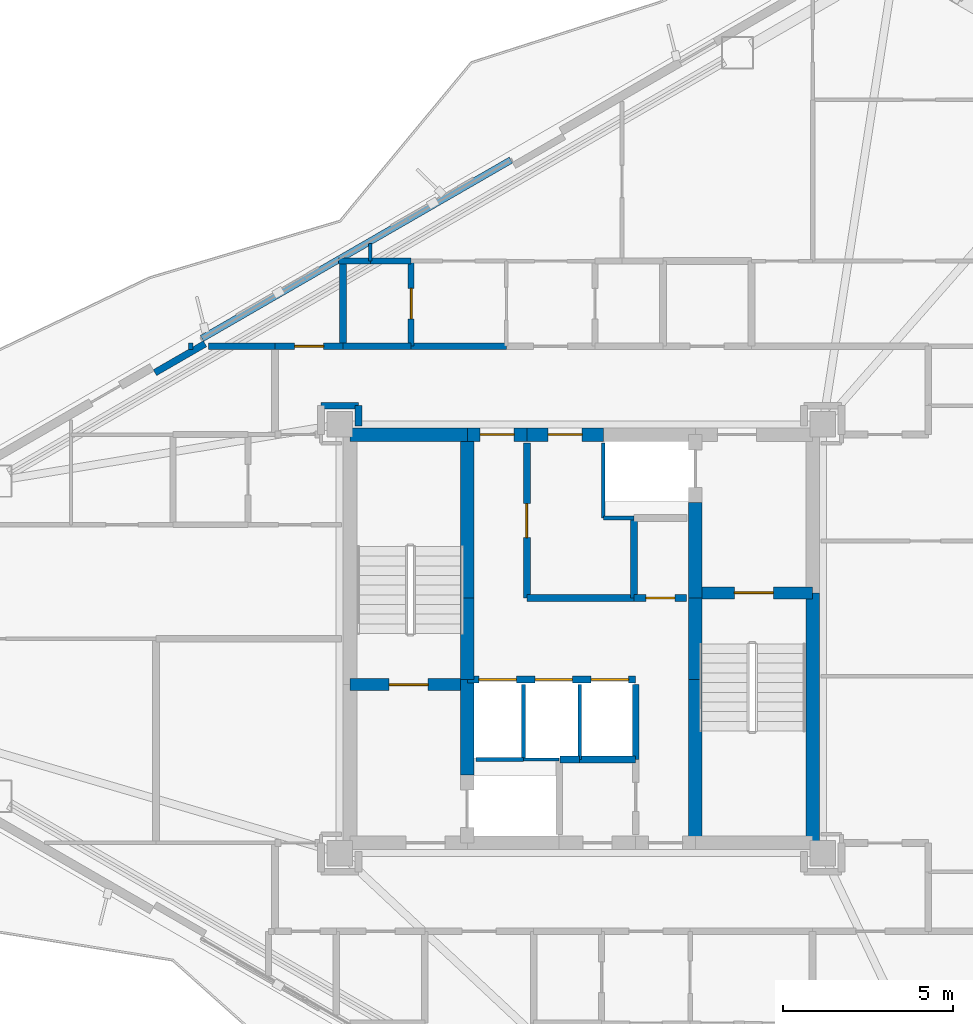
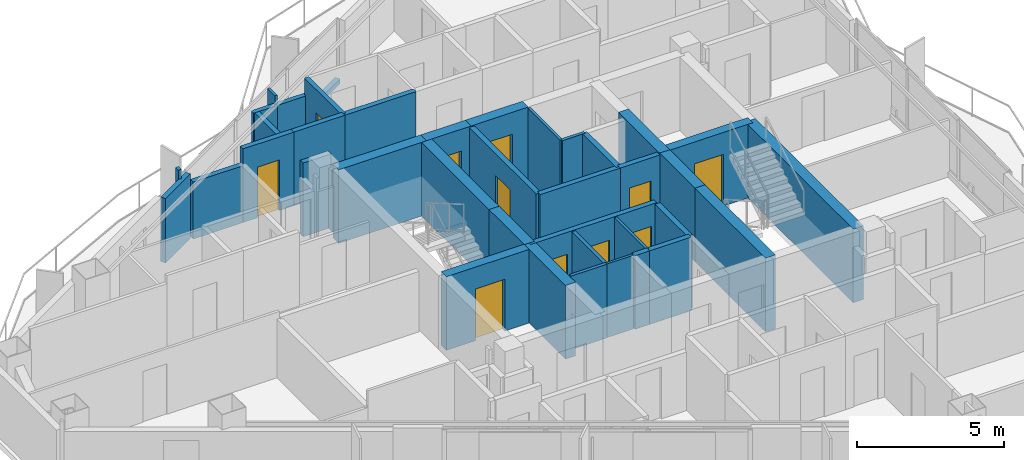
# One storey, part 14 of 18: 40 walls, 11 doors, 11 openings.
"""IFC4 building model written with IfcOpenShell, lengths in metres."""

from ifc_helpers import new_model, si_unit, direction, frame, frame_2d, origin, place, context, subcontext, project, spatial, rectangle, extrude, material, layer, layer_set, type_object, element, fill, save


model = new_model("IFC4")

# Units and contexts
model_context = context("Model", 3, precision=1e-05, world=origin(), true_north=direction((0.0, 1.0)))
body_context = subcontext(model_context, "Body", "Model", "MODEL_VIEW")
ifc_project = project(units=[si_unit("LENGTHUNIT", "METRE"), si_unit("AREAUNIT", "SQUARE_METRE"), si_unit("VOLUMEUNIT", "CUBIC_METRE"), si_unit("PLANEANGLEUNIT", "RADIAN"), si_unit("MASSUNIT", "GRAM", prefix="KILO")], contexts=[model_context])

# Site, building, storey
site_placement = place(None, origin())
site = spatial("IfcSite", under=ifc_project, at=site_placement, CompositionType="ELEMENT")
building_placement = place(site_placement, origin())
building = spatial("IfcBuilding", under=site, at=building_placement, Name="Mersakhor Tower and Convention Hall", CompositionType="ELEMENT")
storey_placement = place(building_placement, frame((0.0, 0.0, 137.699951171875)))
storey = spatial("IfcBuildingStorey", under=building, at=storey_placement, Name="L38", CompositionType="ELEMENT", Elevation=137.699951171875)

# Walls
ifc_material_1 = material(Name="Precast concrete C40/50", Category="concrete")
ifc_layer_1 = layer(ifc_material_1, 0.199951171875)
ifc_layer_set_1 = layer_set([ifc_layer_1], Name="Precast concrete C40/50")
wall_type_1 = type_object("IfcWallType", Name="WL-PAR-200", PredefinedType="PARAPET", material=ifc_layer_set_1)
wall_1_placement = place(storey_placement, frame((17.849853515625, 35.57666015625, 0.0), z_axis=(0.0, 0.0, 1.0), x_axis=(0.866026619769, 0.499997893847, 0.0)))
element("IfcWall", 1, at=wall_1_placement, inside=storey, type_object=wall_type_1, Name="L38 Curtain Wall Upstand Sill F1-B2", PredefinedType="PARAPET", context=body_context, shape_type="SweptSolid", body=[
    extrude(rectangle(XDim=10.48583984375, YDim=0.199951171875, at=frame_2d((5.242919921875, 0.0))), origin(), (0.0, 0.0, 1.0), 0.199951171875),
])
wall_2_placement = place(storey_placement, frame((16.467529296875, 34.57080078125, 0.0), z_axis=(0.0, 0.0, 1.0), x_axis=(0.865989465428, 0.500062241894, 0.0)))
element("IfcWall", 2, at=wall_2_placement, inside=storey, type_object=wall_type_1, Name="L38 Column Pier Cladding Wall F1-C1", PredefinedType="PARAPET", context=body_context, shape_type="SweptSolid", body=[
    extrude(rectangle(XDim=1.699951171875, YDim=0.199951171875, at=frame_2d((0.85009765625, 0.0))), origin(), (0.0, 0.0, 1.0), 2.679931640625),
])

# Wall, opening, door
ifc_material_2 = material(Name="Moisture-resistant acoustic drywall studwork", Category="other")
ifc_layer_2 = layer(ifc_material_2, 0.175048828125)
ifc_layer_set_2 = layer_set([ifc_layer_2], Name="Moisture-resistant acoustic drywall studwork")
wall_type_2 = type_object("IfcWallType", Name="WL-PLM-175", PredefinedType="PLUMBINGWALL", material=ifc_layer_set_2)
wall_3_placement = place(storey_placement, frame((24.0, 35.35009765625, 0.0), z_axis=(0.0, 0.0, 1.0), x_axis=(0.0, 1.0, 0.0)))
wall_3 = element("IfcWall", 3, at=wall_3_placement, inside=storey, type_object=wall_type_2, Name="L38 Interior Partition Wall P-064", PredefinedType="PLUMBINGWALL", context=body_context, shape_type="SweptSolid", body=[
    extrude(rectangle(XDim=2.5, YDim=0.175048828125, at=frame_2d((1.25, 0.0))), origin(), (0.0, 0.0, 1.0), 3.06005859375),
])
opening_1_placement = place(wall_3_placement, frame((0.800048828125, 0.0, 0.0)))
opening_1 = element("IfcOpeningElement", 4, at=opening_1_placement, cuts=wall_3, Name="Opening WD-01", PredefinedType="OPENING", context=body_context, shape_type="SweptSolid", body=[
    extrude(rectangle(XDim=0.89990234375, YDim=2.10009765625, at=frame_2d((0.449951171875, 1.050048828125))), frame((0.0, 0.097412109375, 0.0), z_axis=(0.0, -1.0, 0.0), x_axis=(1.0, 0.0, 0.0)), (0.0, 0.0, 1.0), 0.195068359375),
])
ifc_material_3 = material(Name="Solid-core hardwood leaf in painted steel frame", Category="steel")
door_type_1 = type_object("IfcDoorType", Name="DR-INT-WET-090x210", OperationType="NOTDEFINED", PredefinedType="DOOR", material=ifc_material_3)
door_1_placement = place(opening_1_placement, origin())
door_1 = element("IfcDoor", 5, at=door_1_placement, inside=storey, type_object=door_type_1, Name="L38 L38 Flat N1 Kitchen to L38 Flat N1 Bathroom Door", OperationType="SINGLE_SWING_LEFT", OverallHeight=2.10009765625, OverallWidth=0.89990234375, PredefinedType="DOOR", context=body_context, shape_type="SweptSolid", body=[
    extrude(rectangle(XDim=0.89990234375, YDim=2.10009765625, at=frame_2d((0.449951171875, 1.050048828125))), frame((0.0, 0.02490234375, 0.0), z_axis=(0.0, -1.0, 0.0), x_axis=(1.0, 0.0, 0.0)), (0.0, 0.0, 1.0), 0.050048828125),
])
fill(opening_1, door_1)

# Walls
wall_4_placement = place(storey_placement, frame((21.8564453125, 37.85009765625, 0.0), z_axis=(0.0, 0.0, 1.0), x_axis=(1.0, 0.0, 0.0)))
element("IfcWall", 6, at=wall_4_placement, inside=storey, type_object=wall_type_2, Name="L38 Interior Partition Wall P-065", PredefinedType="PLUMBINGWALL", context=body_context, shape_type="SweptSolid", body=[
    extrude(rectangle(XDim=0.943603515625, YDim=0.175048828125, at=frame_2d((0.4716796875, 0.0))), origin(), (0.0, 0.0, 1.0), 2.364990234375),
])
wall_5_placement = place(storey_placement, frame((22.800048828125, 37.85009765625, 0.0), z_axis=(0.0, 0.0, 1.0), x_axis=(1.0, 0.0, 0.0)))
element("IfcWall", 7, at=wall_5_placement, inside=storey, type_object=wall_type_2, Name="L38 Interior Partition Wall P-066", PredefinedType="PLUMBINGWALL", context=body_context, shape_type="SweptSolid", body=[
    extrude(rectangle(XDim=1.199951171875, YDim=0.175048828125, at=frame_2d((0.60009765625, 0.0))), origin(), (0.0, 0.0, 1.0), 2.364990234375),
])
ifc_material_4 = material(Name="Lightweight gypsum partition", Category="other")
ifc_layer_3 = layer(ifc_material_4, 0.10009765625)
ifc_layer_set_3 = layer_set([ifc_layer_3], Name="Lightweight gypsum partition")
wall_type_3 = type_object("IfcWallType", Name="WL-PRT-100", PredefinedType="PARTITIONING", material=ifc_layer_set_3)
wall_6_placement = place(storey_placement, frame((27.300048828125, 23.199951171875, 0.0), z_axis=(0.0, 0.0, 1.0), x_axis=(1.0, 0.0, 0.0)))
element("IfcWall", 8, at=wall_6_placement, inside=storey, type_object=wall_type_3, Name="L38 Interior Partition Wall P-002", PredefinedType="PARTITIONING", context=body_context, shape_type="SweptSolid", body=[
    extrude(rectangle(XDim=1.050048828125, YDim=0.10009765625, at=frame_2d((0.52490234375, 0.0))), origin(), (0.0, 0.0, 1.0), 3.06005859375),
])
for number, where, z_axis, x_axis, name in (
    (9, (29.64990234375, 30.300048828125, 0.0), (0.0, 0.0, 1.0), (0.0, 1.0, 0.0), "L38 Interior Partition Wall P-006"),
    (10, (28.949951171875, 25.39990234375, 0.0), (0.0, 0.0, 1.0), (0.0, -1.0, 0.0), "L38 Interior Partition Wall P-008"),
):
    element("IfcWall", number, at=place(storey_placement, frame(where, z_axis=z_axis, x_axis=x_axis)), inside=storey, type_object=wall_type_3, Name=name, PredefinedType="PARTITIONING", context=body_context, shape_type="SweptSolid", body=[
        extrude(rectangle(XDim=2.199951171875, YDim=0.10009765625, at=frame_2d((1.10009765625, 0.0))), origin(), (0.0, 0.0, 1.0), 3.06005859375),
    ])
wall_7_placement = place(storey_placement, frame((22.800048828125, 37.85009765625, 0.0), z_axis=(0.0, 0.0, 1.0), x_axis=(0.0, 1.0, 0.0)))
element("IfcWall", 11, at=wall_7_placement, inside=storey, type_object=wall_type_3, Name="L38 Interior Partition Wall P-110", PredefinedType="PARTITIONING", context=body_context, shape_type="SweptSolid", body=[
    extrude(rectangle(XDim=0.510498046875, YDim=0.10009765625, at=frame_2d((0.25537109375, 0.0))), origin(), (0.0, 0.0, 1.0), 2.724609375),
])
ifc_material_5 = material(Name="Gypsum board acoustic partition", Category="other")
ifc_layer_4 = layer(ifc_material_5, 0.125)
ifc_layer_set_4 = layer_set([ifc_layer_4], Name="Gypsum board acoustic partition")
wall_type_4 = type_object("IfcWallType", Name="WL-PRT-125", PredefinedType="PARTITIONING", material=ifc_layer_set_4)
wall_8_placement = place(storey_placement, frame((25.89990234375, 23.199951171875, 0.0), z_axis=(0.0, 0.0, 1.0), x_axis=(1.0, 0.0, 0.0)))
element("IfcWall", 12, at=wall_8_placement, inside=storey, type_object=wall_type_4, Name="L38 Interior Partition Wall P-001", PredefinedType="PARTITIONING", context=body_context, shape_type="SweptSolid", body=[
    extrude(rectangle(XDim=1.400146484375, YDim=0.125, at=frame_2d((0.7001953125, 0.0))), origin(), (0.0, 0.0, 1.0), 3.06005859375),
])
wall_9_placement = place(storey_placement, frame((30.550048828125, 30.300048828125, 0.0), z_axis=(0.0, 0.0, 1.0), x_axis=(-1.0, 0.0, 0.0)))
element("IfcWall", 13, at=wall_9_placement, inside=storey, type_object=wall_type_4, Name="L38 Interior Partition Wall P-005", PredefinedType="PARTITIONING", context=body_context, shape_type="SweptSolid", body=[
    extrude(rectangle(XDim=0.900146484375, YDim=0.125, at=frame_2d((0.4501953125, 0.0))), origin(), (0.0, 0.0, 1.0), 3.06005859375),
])
wall_10_placement = place(storey_placement, frame((27.300048828125, 25.39990234375, 0.0), z_axis=(0.0, 0.0, 1.0), x_axis=(0.0, -1.0, 0.0)))
element("IfcWall", 14, at=wall_10_placement, inside=storey, type_object=wall_type_4, Name="L38 Interior Partition Wall P-007", PredefinedType="PARTITIONING", context=body_context, shape_type="SweptSolid", body=[
    extrude(rectangle(XDim=2.199951171875, YDim=0.125, at=frame_2d((1.10009765625, 0.0))), origin(), (0.0, 0.0, 1.0), 3.06005859375),
])

# Wall, openings, doors
ifc_material_6 = material(Name="Acoustic concrete blockwork and gypsum board", Category="masonry")
ifc_layer_5 = layer(ifc_material_6, 0.199951171875)
ifc_layer_set_5 = layer_set([ifc_layer_5], Name="Acoustic concrete blockwork and gypsum board")
wall_type_5 = type_object("IfcWallType", Name="WL-PRT-200", PredefinedType="PARTITIONING", material=ifc_layer_set_5)
wall_11_placement = place(storey_placement, frame((25.64990234375, 25.550048828125, 0.0), z_axis=(0.0, 0.0, 1.0), x_axis=(1.0, 0.0, 0.0)))
wall_11 = element("IfcWall", 15, at=wall_11_placement, inside=storey, type_object=wall_type_5, Name="L38 High-Rise Lift Bank Front Wall", PredefinedType="PARTITIONING", context=body_context, shape_type="SweptSolid", body=[
    extrude(rectangle(XDim=4.9501953125, YDim=0.199951171875, at=frame_2d((2.47509765625, 0.0))), origin(), (0.0, 0.0, 1.0), 3.06005859375),
])
opening_2_placement = place(wall_11_placement, frame((0.340087890625, 0.0, 0.0)))
opening_2 = element("IfcOpeningElement", 16, at=opening_2_placement, cuts=wall_11, Name="Opening LD-P4", PredefinedType="OPENING", context=body_context, shape_type="SweptSolid", body=[
    extrude(rectangle(XDim=1.10009765625, YDim=2.14990234375, at=frame_2d((0.550048828125, 1.074951171875))), frame((0.0, 0.10986328125, 0.0), z_axis=(0.0, -1.0, 0.0), x_axis=(1.0, 0.0, 0.0)), (0.0, 0.0, 1.0), 0.219970703125),
])
opening_3_placement = place(wall_11_placement, frame((1.989990234375, 0.0, 0.0)))
opening_3 = element("IfcOpeningElement", 17, at=opening_3_placement, cuts=wall_11, Name="Opening LD-P5", PredefinedType="OPENING", context=body_context, shape_type="SweptSolid", body=[
    extrude(rectangle(XDim=1.10009765625, YDim=2.14990234375, at=frame_2d((0.550048828125, 1.074951171875))), frame((0.0, 0.10986328125, 0.0), z_axis=(0.0, -1.0, 0.0), x_axis=(1.0, 0.0, 0.0)), (0.0, 0.0, 1.0), 0.219970703125),
])
opening_4_placement = place(wall_11_placement, frame((3.639892578125, 0.0, 0.0)))
opening_4 = element("IfcOpeningElement", 18, at=opening_4_placement, cuts=wall_11, Name="Opening LD-P6", PredefinedType="OPENING", context=body_context, shape_type="SweptSolid", body=[
    extrude(rectangle(XDim=1.10009765625, YDim=2.14990234375, at=frame_2d((0.550048828125, 1.074951171875))), frame((0.0, 0.10986328125, 0.0), z_axis=(0.0, -1.0, 0.0), x_axis=(1.0, 0.0, 0.0)), (0.0, 0.0, 1.0), 0.219970703125),
])
ifc_material_7 = material(Name="Fire-rated brushed stainless steel sliding landing door", Category="steel")
door_type_2 = type_object("IfcDoorType", Name="DR-LIFT-SLD-110x215", OperationType="NOTDEFINED", PredefinedType="DOOR", material=ifc_material_7)
door_2_placement = place(opening_2_placement, origin())
door_2 = element("IfcDoor", 19, at=door_2_placement, inside=storey, type_object=door_type_2, Name="L38 Lift Landing Door LD-P4", OperationType="SLIDING_TO_LEFT", OverallHeight=2.14990234375, OverallWidth=1.10009765625, PredefinedType="DOOR", context=body_context, shape_type="SweptSolid", body=[
    extrude(rectangle(XDim=1.10009765625, YDim=2.14990234375, at=frame_2d((0.550048828125, 1.074951171875))), frame((0.0, 0.02490234375, 0.0), z_axis=(0.0, -1.0, 0.0), x_axis=(1.0, 0.0, 0.0)), (0.0, 0.0, 1.0), 0.050048828125),
])
fill(opening_2, door_2)
door_3_placement = place(opening_3_placement, origin())
door_3 = element("IfcDoor", 20, at=door_3_placement, inside=storey, type_object=door_type_2, Name="L38 Lift Landing Door LD-P5", OperationType="SLIDING_TO_LEFT", OverallHeight=2.14990234375, OverallWidth=1.10009765625, PredefinedType="DOOR", context=body_context, shape_type="SweptSolid", body=[
    extrude(rectangle(XDim=1.10009765625, YDim=2.14990234375, at=frame_2d((0.550048828125, 1.074951171875))), frame((0.0, 0.02490234375, 0.0), z_axis=(0.0, -1.0, 0.0), x_axis=(1.0, 0.0, 0.0)), (0.0, 0.0, 1.0), 0.050048828125),
])
fill(opening_3, door_3)
door_4_placement = place(opening_4_placement, origin())
door_4 = element("IfcDoor", 21, at=door_4_placement, inside=storey, type_object=door_type_2, Name="L38 Lift Landing Door LD-P6", OperationType="SLIDING_TO_LEFT", OverallHeight=2.14990234375, OverallWidth=1.10009765625, PredefinedType="DOOR", context=body_context, shape_type="SweptSolid", body=[
    extrude(rectangle(XDim=1.10009765625, YDim=2.14990234375, at=frame_2d((0.550048828125, 1.074951171875))), frame((0.0, 0.02490234375, 0.0), z_axis=(0.0, -1.0, 0.0), x_axis=(1.0, 0.0, 0.0)), (0.0, 0.0, 1.0), 0.050048828125),
])
fill(opening_4, door_4)

# Walls
wall_12_placement = place(storey_placement, frame((28.949951171875, 23.199951171875, 0.0), z_axis=(0.0, 0.0, 1.0), x_axis=(-1.0, 0.0, 0.0)))
element("IfcWall", 22, at=wall_12_placement, inside=storey, type_object=wall_type_5, Name="L38 Interior Partition Wall P-009", PredefinedType="PARTITIONING", context=body_context, shape_type="SweptSolid", body=[
    extrude(rectangle(XDim=0.570068359375, YDim=0.199951171875, at=frame_2d((0.28515625, 0.0))), origin(), (0.0, 0.0, 1.0), 3.06005859375),
])
wall_13_placement = place(storey_placement, frame((30.60009765625, 25.39990234375, 0.0), z_axis=(0.0, 0.0, 1.0), x_axis=(0.0, -1.0, 0.0)))
element("IfcWall", 23, at=wall_13_placement, inside=storey, type_object=wall_type_5, Name="L38 Interior Partition Wall P-010", PredefinedType="PARTITIONING", context=body_context, shape_type="SweptSolid", body=[
    extrude(rectangle(XDim=2.199951171875, YDim=0.199951171875, at=frame_2d((1.10009765625, 0.0))), origin(), (0.0, 0.0, 1.0), 3.06005859375),
])
wall_14_placement = place(storey_placement, frame((30.60009765625, 23.199951171875, 0.0), z_axis=(0.0, 0.0, 1.0), x_axis=(-1.0, 0.0, 0.0)))
element("IfcWall", 24, at=wall_14_placement, inside=storey, type_object=wall_type_5, Name="L38 Interior Partition Wall P-011", PredefinedType="PARTITIONING", context=body_context, shape_type="SweptSolid", body=[
    extrude(rectangle(XDim=1.650146484375, YDim=0.199951171875, at=frame_2d((0.8251953125, 0.0))), origin(), (0.0, 0.0, 1.0), 3.06005859375),
])

# Wall, opening, door
wall_15_placement = place(storey_placement, frame((27.39990234375, 32.5, 0.0), z_axis=(0.0, 0.0, 1.0), x_axis=(0.0, -1.0, 0.0)))
wall_15 = element("IfcWall", 25, at=wall_15_placement, inside=storey, type_object=wall_type_5, Name="L38 Interior Partition Wall P-013", PredefinedType="PARTITIONING", context=body_context, shape_type="SweptSolid", body=[
    extrude(rectangle(XDim=4.550048828125, YDim=0.199951171875, at=frame_2d((2.27490234375, 0.0))), origin(), (0.0, 0.0, 1.0), 3.06005859375),
])
opening_5_placement = place(wall_15_placement, frame((1.77490234375, 0.0, 0.0)))
opening_5 = element("IfcOpeningElement", 26, at=opening_5_placement, cuts=wall_15, Name="Opening FD-01", PredefinedType="OPENING", context=body_context, shape_type="SweptSolid", body=[
    extrude(rectangle(XDim=1.0, YDim=2.14990234375, at=frame_2d((0.5, 1.074951171875))), frame((0.0, 0.10986328125, 0.0), z_axis=(0.0, -1.0, 0.0), x_axis=(1.0, 0.0, 0.0)), (0.0, 0.0, 1.0), 0.219970703125),
])
ifc_material_8 = material(Name="Fire-rated hardwood leaf and painted steel frame", Category="steel")
door_type_3 = type_object("IfcDoorType", Name="DR-INT-FLT-100x215", OperationType="NOTDEFINED", PredefinedType="DOOR", material=ifc_material_8)
door_5_placement = place(opening_5_placement, origin())
door_5 = element("IfcDoor", 27, at=door_5_placement, inside=storey, type_object=door_type_3, Name="L38 Central Passenger Lift Lobby to Quiet Core Study Room Door", OperationType="SINGLE_SWING_LEFT", OverallHeight=2.14990234375, OverallWidth=1.0, PredefinedType="DOOR", context=body_context, shape_type="SweptSolid", body=[
    extrude(rectangle(XDim=1.0, YDim=2.14990234375, at=frame_2d((0.5, 1.074951171875))), frame((0.0, 0.02490234375, 0.0), z_axis=(0.0, -1.0, 0.0), x_axis=(1.0, 0.0, 0.0)), (0.0, 0.0, 1.0), 0.050048828125),
])
fill(opening_5, door_5)

# Wall
wall_16_placement = place(storey_placement, frame((27.39990234375, 27.949951171875, 0.0), z_axis=(0.0, 0.0, 1.0), x_axis=(1.0, 0.0, 0.0)))
element("IfcWall", 28, at=wall_16_placement, inside=storey, type_object=wall_type_5, Name="L38 Interior Partition Wall P-014", PredefinedType="PARTITIONING", context=body_context, shape_type="SweptSolid", body=[
    extrude(rectangle(XDim=3.150146484375, YDim=0.199951171875, at=frame_2d((1.5751953125, 0.0))), origin(), (0.0, 0.0, 1.0), 3.06005859375),
])

# Wall, opening, door
wall_17_placement = place(storey_placement, frame((30.550048828125, 27.949951171875, 0.0), z_axis=(0.0, 0.0, 1.0), x_axis=(1.0, 0.0, 0.0)))
wall_17 = element("IfcWall", 29, at=wall_17_placement, inside=storey, type_object=wall_type_5, Name="L38 Interior Partition Wall P-015", PredefinedType="PARTITIONING", context=body_context, shape_type="SweptSolid", body=[
    extrude(rectangle(XDim=1.550048828125, YDim=0.199951171875, at=frame_2d((0.77490234375, 0.0))), origin(), (0.0, 0.0, 1.0), 3.06005859375),
])
opening_6_placement = place(wall_17_placement, frame((0.35009765625, 0.0, 0.0)))
opening_6 = element("IfcOpeningElement", 30, at=opening_6_placement, cuts=wall_17, Name="Opening SVD-01", PredefinedType="OPENING", context=body_context, shape_type="SweptSolid", body=[
    extrude(rectangle(XDim=0.85009765625, YDim=2.10009765625, at=frame_2d((0.425048828125, 1.050048828125))), frame((0.0, 0.10986328125, 0.0), z_axis=(0.0, -1.0, 0.0), x_axis=(1.0, 0.0, 0.0)), (0.0, 0.0, 1.0), 0.219970703125),
])
ifc_material_9 = material(Name="Fire-rated hardwood leaf and painted steel frame", Category="steel")
door_type_4 = type_object("IfcDoorType", Name="DR-INT-SVC-085x210", OperationType="NOTDEFINED", PredefinedType="DOOR", material=ifc_material_9)
door_6_placement = place(opening_6_placement, origin())
door_6 = element("IfcDoor", 31, at=door_6_placement, inside=storey, type_object=door_type_4, Name="L38 Central Passenger Lift Lobby to Housekeeping Linen Store Room Door", OperationType="SINGLE_SWING_RIGHT", OverallHeight=2.10009765625, OverallWidth=0.85009765625, PredefinedType="DOOR", context=body_context, shape_type="SweptSolid", body=[
    extrude(rectangle(XDim=0.85009765625, YDim=2.10009765625, at=frame_2d((0.425048828125, 1.050048828125))), frame((0.0, 0.02490234375, 0.0), z_axis=(0.0, -1.0, 0.0), x_axis=(1.0, 0.0, 0.0)), (0.0, 0.0, 1.0), 0.050048828125),
])
fill(opening_6, door_6)

# Walls
wall_18_placement = place(storey_placement, frame((22.449951171875, 33.0, 0.0), z_axis=(0.0, 0.0, 1.0), x_axis=(0.0, 1.0, 0.0)))
element("IfcWall", 32, at=wall_18_placement, inside=storey, type_object=wall_type_5, Name="L38 Interior Partition Wall P-017", PredefinedType="PARTITIONING", context=body_context, shape_type="SweptSolid", body=[
    extrude(rectangle(XDim=0.60009765625, YDim=0.199951171875, at=frame_2d((0.300048828125, 0.0))), origin(), (0.0, 0.0, 1.0), 2.50830078125),
])
wall_19_placement = place(storey_placement, frame((22.449951171875, 33.60009765625, 0.0), z_axis=(0.0, 0.0, 1.0), x_axis=(-1.0, 0.0, 0.0)))
element("IfcWall", 33, at=wall_19_placement, inside=storey, type_object=wall_type_5, Name="L38 Interior Partition Wall P-018", PredefinedType="PARTITIONING", context=body_context, shape_type="SweptSolid", body=[
    extrude(rectangle(XDim=1.099853515625, YDim=0.199951171875, at=frame_2d((0.5498046875, 0.0))), origin(), (0.0, 0.0, 1.0), 3.06005859375),
])

# Wall, opening, door
wall_20_placement = place(storey_placement, frame((20.0, 35.35009765625, 0.0), z_axis=(0.0, 0.0, 1.0), x_axis=(1.0, 0.0, 0.0)))
wall_20 = element("IfcWall", 34, at=wall_20_placement, inside=storey, type_object=wall_type_5, Name="L38 Interior Partition Wall P-022", PredefinedType="PARTITIONING", context=body_context, shape_type="SweptSolid", body=[
    extrude(rectangle(XDim=2.0, YDim=0.199951171875, at=frame_2d((1.0, 0.0))), origin(), (0.0, 0.0, 1.0), 3.06005859375),
])
opening_7_placement = place(wall_20_placement, frame((0.574951171875, 0.0, 0.0)))
opening_7 = element("IfcOpeningElement", 35, at=opening_7_placement, cuts=wall_20, Name="Opening SVD-01", PredefinedType="OPENING", context=body_context, shape_type="SweptSolid", body=[
    extrude(rectangle(XDim=0.85009765625, YDim=2.10009765625, at=frame_2d((0.425048828125, 1.050048828125))), frame((0.0, 0.10986328125, 0.0), z_axis=(0.0, -1.0, 0.0), x_axis=(1.0, 0.0, 0.0)), (0.0, 0.0, 1.0), 0.219970703125),
])
door_7_placement = place(opening_7_placement, origin())
door_7 = element("IfcDoor", 36, at=door_7_placement, inside=storey, type_object=door_type_4, Name="L38 Residential North Gallery Corridor to L38 North-West Household Store Room Door", OperationType="SINGLE_SWING_RIGHT", OverallHeight=2.10009765625, OverallWidth=0.85009765625, PredefinedType="DOOR", context=body_context, shape_type="SweptSolid", body=[
    extrude(rectangle(XDim=0.85009765625, YDim=2.10009765625, at=frame_2d((0.425048828125, 1.050048828125))), frame((0.0, 0.02490234375, 0.0), z_axis=(0.0, -1.0, 0.0), x_axis=(1.0, 0.0, 0.0)), (0.0, 0.0, 1.0), 0.050048828125),
])
fill(opening_7, door_7)

# Walls
wall_21_placement = place(storey_placement, frame((22.0, 35.35009765625, 0.0), z_axis=(0.0, 0.0, 1.0), x_axis=(1.0, 0.0, 0.0)))
element("IfcWall", 37, at=wall_21_placement, inside=storey, type_object=wall_type_5, Name="L38 Interior Partition Wall P-023", PredefinedType="PARTITIONING", context=body_context, shape_type="SweptSolid", body=[
    extrude(rectangle(XDim=2.0, YDim=0.199951171875, at=frame_2d((1.0, 0.0))), origin(), (0.0, 0.0, 1.0), 3.06005859375),
])
wall_22_placement = place(storey_placement, frame((24.0, 35.35009765625, 0.0), z_axis=(0.0, 0.0, 1.0), x_axis=(1.0, 0.0, 0.0)))
element("IfcWall", 38, at=wall_22_placement, inside=storey, type_object=wall_type_5, Name="L38 Interior Partition Wall P-024", PredefinedType="PARTITIONING", context=body_context, shape_type="SweptSolid", body=[
    extrude(rectangle(XDim=2.800048828125, YDim=0.199951171875, at=frame_2d((1.39990234375, 0.0))), origin(), (0.0, 0.0, 1.0), 3.06005859375),
])
wall_23_placement = place(storey_placement, frame((22.0, 35.35009765625, 0.0), z_axis=(0.0, 0.0, 1.0), x_axis=(0.0, 1.0, 0.0)))
element("IfcWall", 39, at=wall_23_placement, inside=storey, type_object=wall_type_5, Name="L38 Interior Partition Wall P-067", PredefinedType="PARTITIONING", context=body_context, shape_type="SweptSolid", body=[
    extrude(rectangle(XDim=2.578857421875, YDim=0.199951171875, at=frame_2d((1.28955078125, 0.0))), origin(), (0.0, 0.0, 1.0), 2.364990234375),
])
wall_24_placement = place(storey_placement, frame((30.550048828125, 30.300048828125, 0.0), z_axis=(0.0, 0.0, 1.0), x_axis=(0.0, -1.0, 0.0)))
element("IfcWall", 40, at=wall_24_placement, inside=storey, type_object=wall_type_5, Name="L38 Interior Partition Wall P-085", PredefinedType="PARTITIONING", context=body_context, shape_type="SweptSolid", body=[
    extrude(rectangle(XDim=2.35009765625, YDim=0.199951171875, at=frame_2d((1.175048828125, 0.0))), origin(), (0.0, 0.0, 1.0), 3.06005859375),
])
wall_25_placement = place(storey_placement, frame((20.0, 35.35009765625, 0.0), z_axis=(0.0, 0.0, 1.0), x_axis=(-1.0, 0.0, 0.0)))
element("IfcWall", 41, at=wall_25_placement, inside=storey, type_object=wall_type_5, Name="L38 Interior Partition Wall P-088", PredefinedType="PARTITIONING", context=body_context, shape_type="SweptSolid", body=[
    extrude(rectangle(XDim=1.95751953125, YDim=0.199951171875, at=frame_2d((0.978759765625, 0.0))), origin(), (0.0, 0.0, 1.0), 2.364990234375),
])
wall_26_placement = place(storey_placement, frame((17.58203125, 35.35009765625, 0.0), z_axis=(0.0, 0.0, 1.0), x_axis=(-1.0, 0.0, 0.0)))
element("IfcWall", 42, at=wall_26_placement, inside=storey, type_object=wall_type_5, Name="L38 Interior Partition Wall P-089", PredefinedType="PARTITIONING", context=body_context, shape_type="SweptSolid", body=[
    extrude(rectangle(XDim=0.125, YDim=0.199951171875, at=frame_2d((0.0625, 0.0))), origin(), (0.0, 0.0, 1.0), 3.06005859375),
])

# Wall, opening, door
ifc_material_10 = material(Name="Concrete C50/60", Category="concrete")
ifc_layer_6 = layer(ifc_material_10, 0.35009765625)
ifc_layer_set_6 = layer_set([ifc_layer_6], Name="Concrete C50/60")
wall_type_6 = type_object("IfcWallType", Name="WL-SHR-350", PredefinedType="SHEAR", material=ifc_layer_set_6)
wall_27_placement = place(storey_placement, frame((22.199951171875, 25.39990234375, 0.0), z_axis=(0.0, 0.0, 1.0), x_axis=(1.0, 0.0, 0.0)))
wall_27 = element("IfcWall", 43, at=wall_27_placement, inside=storey, type_object=wall_type_6, Name="L38 Core Wall CS-ST1-S", PredefinedType="SHEAR", context=body_context, shape_type="SweptSolid", body=[
    extrude(rectangle(XDim=3.449951171875, YDim=0.35009765625, at=frame_2d((1.72509765625, 0.0))), origin(), (0.0, 0.0, 1.0), 3.06005859375),
])
opening_8_placement = place(wall_27_placement, frame((1.14990234375, 0.0, 0.0)))
opening_8 = element("IfcOpeningElement", 44, at=opening_8_placement, cuts=wall_27, Name="Opening SD-01", PredefinedType="OPENING", context=body_context, shape_type="SweptSolid", body=[
    extrude(rectangle(XDim=1.14990234375, YDim=2.14990234375, at=frame_2d((0.574951171875, 1.074951171875))), frame((0.0, 0.18505859375, 0.0), z_axis=(0.0, -1.0, 0.0), x_axis=(1.0, 0.0, 0.0)), (0.0, 0.0, 1.0), 0.3701171875),
])
ifc_material_11 = material(Name="Fire-rated hardwood leaf and painted steel frame", Category="steel")
door_type_5 = type_object("IfcDoorType", Name="DR-INT-STAIR-115x215", OperationType="NOTDEFINED", PredefinedType="DOOR", material=ifc_material_11)
door_8_placement = place(opening_8_placement, origin())
door_8 = element("IfcDoor", 45, at=door_8_placement, inside=storey, type_object=door_type_5, Name="L38 Exit Stair ST-1 Enclosure Door", OperationType="SINGLE_SWING_LEFT", OverallHeight=2.14990234375, OverallWidth=1.14990234375, PredefinedType="DOOR", context=body_context, shape_type="SweptSolid", body=[
    extrude(rectangle(XDim=1.14990234375, YDim=2.14990234375, at=frame_2d((0.574951171875, 1.074951171875))), frame((0.0, 0.02490234375, 0.0), z_axis=(0.0, -1.0, 0.0), x_axis=(1.0, 0.0, 0.0)), (0.0, 0.0, 1.0), 0.050048828125),
])
fill(opening_8, door_8)

wall_28_placement = place(storey_placement, frame((32.35009765625, 28.10009765625, 0.0), z_axis=(0.0, 0.0, 1.0), x_axis=(1.0, 0.0, 0.0)))
wall_28 = element("IfcWall", 46, at=wall_28_placement, inside=storey, type_object=wall_type_6, Name="L38 Core Wall CS-ST2-N", PredefinedType="SHEAR", context=body_context, shape_type="SweptSolid", body=[
    extrude(rectangle(XDim=3.449951171875, YDim=0.35009765625, at=frame_2d((1.72509765625, 0.0))), origin(), (0.0, 0.0, 1.0), 3.06005859375),
])
opening_9_placement = place(wall_28_placement, frame((1.14990234375, 0.0, 0.0)))
opening_9 = element("IfcOpeningElement", 47, at=opening_9_placement, cuts=wall_28, Name="Opening SD-01", PredefinedType="OPENING", context=body_context, shape_type="SweptSolid", body=[
    extrude(rectangle(XDim=1.14990234375, YDim=2.14990234375, at=frame_2d((0.574951171875, 1.074951171875))), frame((0.0, 0.18505859375, 0.0), z_axis=(0.0, -1.0, 0.0), x_axis=(1.0, 0.0, 0.0)), (0.0, 0.0, 1.0), 0.3701171875),
])
door_9_placement = place(opening_9_placement, origin())
door_9 = element("IfcDoor", 48, at=door_9_placement, inside=storey, type_object=door_type_5, Name="L38 Exit Stair ST-2 Enclosure Door", OperationType="SINGLE_SWING_RIGHT", OverallHeight=2.14990234375, OverallWidth=1.14990234375, PredefinedType="DOOR", context=body_context, shape_type="SweptSolid", body=[
    extrude(rectangle(XDim=1.14990234375, YDim=2.14990234375, at=frame_2d((0.574951171875, 1.074951171875))), frame((0.0, 0.02490234375, 0.0), z_axis=(0.0, -1.0, 0.0), x_axis=(1.0, 0.0, 0.0)), (0.0, 0.0, 1.0), 0.050048828125),
])
fill(opening_9, door_9)

# Wall
ifc_material_12 = material(Name="Concrete C60/75", Category="concrete")
ifc_layer_7 = layer(ifc_material_12, 0.39990234375)
ifc_layer_set_7 = layer_set([ifc_layer_7], Name="Concrete C60/75")
wall_type_7 = type_object("IfcWallType", Name="WL-SHR-400", PredefinedType="SHEAR", material=ifc_layer_set_7)
wall_29_placement = place(storey_placement, frame((22.199951171875, 32.75, 0.0), z_axis=(0.0, 0.0, 1.0), x_axis=(1.0, 0.0, 0.0)))
element("IfcWall", 49, at=wall_29_placement, inside=storey, type_object=wall_type_7, Name="L38 Core Wall CW-N1", PredefinedType="SHEAR", context=body_context, shape_type="SweptSolid", body=[
    extrude(rectangle(XDim=3.449951171875, YDim=0.39990234375, at=frame_2d((1.72509765625, 0.0))), origin(), (0.0, 0.0, 1.0), 3.06005859375),
])

# Wall, opening, door
wall_30_placement = place(storey_placement, frame((25.64990234375, 32.75, 0.0), z_axis=(0.0, 0.0, 1.0), x_axis=(1.0, 0.0, 0.0)))
wall_30 = element("IfcWall", 50, at=wall_30_placement, inside=storey, type_object=wall_type_7, Name="L38 Core Wall CW-N2A", PredefinedType="SHEAR", context=body_context, shape_type="SweptSolid", body=[
    extrude(rectangle(XDim=1.75, YDim=0.39990234375, at=frame_2d((0.875, 0.0))), origin(), (0.0, 0.0, 1.0), 3.06005859375),
])
opening_10_placement = place(wall_30_placement, frame((0.375, 0.0, 0.0)))
opening_10 = element("IfcOpeningElement", 51, at=opening_10_placement, cuts=wall_30, Name="Opening CFD-01", PredefinedType="OPENING", context=body_context, shape_type="SweptSolid", body=[
    extrude(rectangle(XDim=1.0, YDim=2.14990234375, at=frame_2d((0.5, 1.074951171875))), frame((0.0, 0.2099609375, 0.0), z_axis=(0.0, -1.0, 0.0), x_axis=(1.0, 0.0, 0.0)), (0.0, 0.0, 1.0), 0.419921875),
])
ifc_material_13 = material(Name="Fire-rated hardwood leaf and painted steel frame", Category="steel")
door_type_6 = type_object("IfcDoorType", Name="DR-CORE-FD-100x215", OperationType="NOTDEFINED", PredefinedType="DOOR", material=ifc_material_13)
door_10_placement = place(opening_10_placement, origin())
door_10 = element("IfcDoor", 52, at=door_10_placement, inside=storey, type_object=door_type_6, Name="L38 Lift Lobby North Corridor Door", OperationType="SINGLE_SWING_LEFT", OverallHeight=2.14990234375, OverallWidth=1.0, PredefinedType="DOOR", context=body_context, shape_type="SweptSolid", body=[
    extrude(rectangle(XDim=1.0, YDim=2.14990234375, at=frame_2d((0.5, 1.074951171875))), frame((0.0, 0.02490234375, 0.0), z_axis=(0.0, -1.0, 0.0), x_axis=(1.0, 0.0, 0.0)), (0.0, 0.0, 1.0), 0.050048828125),
])
fill(opening_10, door_10)

wall_31_placement = place(storey_placement, frame((27.39990234375, 32.75, 0.0), z_axis=(0.0, 0.0, 1.0), x_axis=(1.0, 0.0, 0.0)))
wall_31 = element("IfcWall", 53, at=wall_31_placement, inside=storey, type_object=wall_type_7, Name="L38 Core Wall CW-N2B", PredefinedType="SHEAR", context=body_context, shape_type="SweptSolid", body=[
    extrude(rectangle(XDim=2.25, YDim=0.39990234375, at=frame_2d((1.125, 0.0))), origin(), (0.0, 0.0, 1.0), 3.06005859375),
])
opening_11_placement = place(wall_31_placement, frame((0.625, 0.0, 0.0)))
opening_11 = element("IfcOpeningElement", 54, at=opening_11_placement, cuts=wall_31, Name="Opening FD-01", PredefinedType="OPENING", context=body_context, shape_type="SweptSolid", body=[
    extrude(rectangle(XDim=1.0, YDim=2.14990234375, at=frame_2d((0.5, 1.074951171875))), frame((0.0, 0.2099609375, 0.0), z_axis=(0.0, -1.0, 0.0), x_axis=(1.0, 0.0, 0.0)), (0.0, 0.0, 1.0), 0.419921875),
])
door_11_placement = place(opening_11_placement, origin())
door_11 = element("IfcDoor", 55, at=door_11_placement, inside=storey, type_object=door_type_3, Name="L38 Residential North Gallery Corridor to Quiet Core Study Room Door", OperationType="SINGLE_SWING_RIGHT", OverallHeight=2.14990234375, OverallWidth=1.0, PredefinedType="DOOR", context=body_context, shape_type="SweptSolid", body=[
    extrude(rectangle(XDim=1.0, YDim=2.14990234375, at=frame_2d((0.5, 1.074951171875))), frame((0.0, 0.02490234375, 0.0), z_axis=(0.0, -1.0, 0.0), x_axis=(1.0, 0.0, 0.0)), (0.0, 0.0, 1.0), 0.050048828125),
])
fill(opening_11, door_11)

# Walls
wall_32_placement = place(storey_placement, frame((35.800048828125, 28.10009765625, 0.0), z_axis=(0.0, 0.0, 1.0), x_axis=(0.0, -1.0, 0.0)))
element("IfcWall", 56, at=wall_32_placement, inside=storey, type_object=wall_type_7, Name="L38 Core Wall CW-E2", PredefinedType="SHEAR", context=body_context, shape_type="SweptSolid", body=[
    extrude(rectangle(XDim=7.35009765625, YDim=0.39990234375, at=frame_2d((3.675048828125, 0.0))), origin(), (0.0, 0.0, 1.0), 3.06005859375),
])
wall_33_placement = place(storey_placement, frame((25.64990234375, 22.75, 0.0), z_axis=(0.0, 0.0, 1.0), x_axis=(0.0, 1.0, 0.0)))
element("IfcWall", 57, at=wall_33_placement, inside=storey, type_object=wall_type_7, Name="L38 Core Wall CS-W-MID", PredefinedType="SHEAR", context=body_context, shape_type="SweptSolid", body=[
    extrude(rectangle(XDim=2.800048828125, YDim=0.39990234375, at=frame_2d((1.39990234375, 0.0))), origin(), (0.0, 0.0, 1.0), 3.06005859375),
])
wall_34_placement = place(storey_placement, frame((25.64990234375, 25.550048828125, 0.0), z_axis=(0.0, 0.0, 1.0), x_axis=(0.0, 1.0, 0.0)))
element("IfcWall", 58, at=wall_34_placement, inside=storey, type_object=wall_type_7, Name="L38 Core Wall CS-W-LOB", PredefinedType="SHEAR", context=body_context, shape_type="SweptSolid", body=[
    extrude(rectangle(XDim=2.39990234375, YDim=0.39990234375, at=frame_2d((1.199951171875, 0.0))), origin(), (0.0, 0.0, 1.0), 3.06005859375),
])
for number, where, z_axis, x_axis, name in (
    (59, (25.64990234375, 27.949951171875, 0.0), (0.0, 0.0, 1.0), (0.0, 1.0, 0.0), "L38 Core Wall CS-W-ST1"),
    (60, (32.35009765625, 20.75, 0.0), (0.0, 0.0, 1.0), (0.0, 1.0, 0.0), "L38 Core Wall CS-E-ST2"),
):
    element("IfcWall", number, at=place(storey_placement, frame(where, z_axis=z_axis, x_axis=x_axis)), inside=storey, type_object=wall_type_7, Name=name, PredefinedType="SHEAR", context=body_context, shape_type="SweptSolid", body=[
        extrude(rectangle(XDim=4.800048828125, YDim=0.39990234375, at=frame_2d((2.39990234375, 0.0))), origin(), (0.0, 0.0, 1.0), 3.06005859375),
    ])
wall_35_placement = place(storey_placement, frame((32.35009765625, 25.550048828125, 0.0), z_axis=(0.0, 0.0, 1.0), x_axis=(0.0, 1.0, 0.0)))
element("IfcWall", 61, at=wall_35_placement, inside=storey, type_object=wall_type_7, Name="L38 Core Wall CS-E-LOB", PredefinedType="SHEAR", context=body_context, shape_type="SweptSolid", body=[
    extrude(rectangle(XDim=2.39990234375, YDim=0.39990234375, at=frame_2d((1.199951171875, 0.0))), origin(), (0.0, 0.0, 1.0), 3.06005859375),
])
wall_36_placement = place(storey_placement, frame((32.35009765625, 27.949951171875, 0.0), z_axis=(0.0, 0.0, 1.0), x_axis=(0.0, 1.0, 0.0)))
element("IfcWall", 62, at=wall_36_placement, inside=storey, type_object=wall_type_7, Name="L38 Core Wall CS-E-MID", PredefinedType="SHEAR", context=body_context, shape_type="SweptSolid", body=[
    extrude(rectangle(XDim=2.800048828125, YDim=0.39990234375, at=frame_2d((1.39990234375, 0.0))), origin(), (0.0, 0.0, 1.0), 3.06005859375),
])

save(model, "model.ifc")
